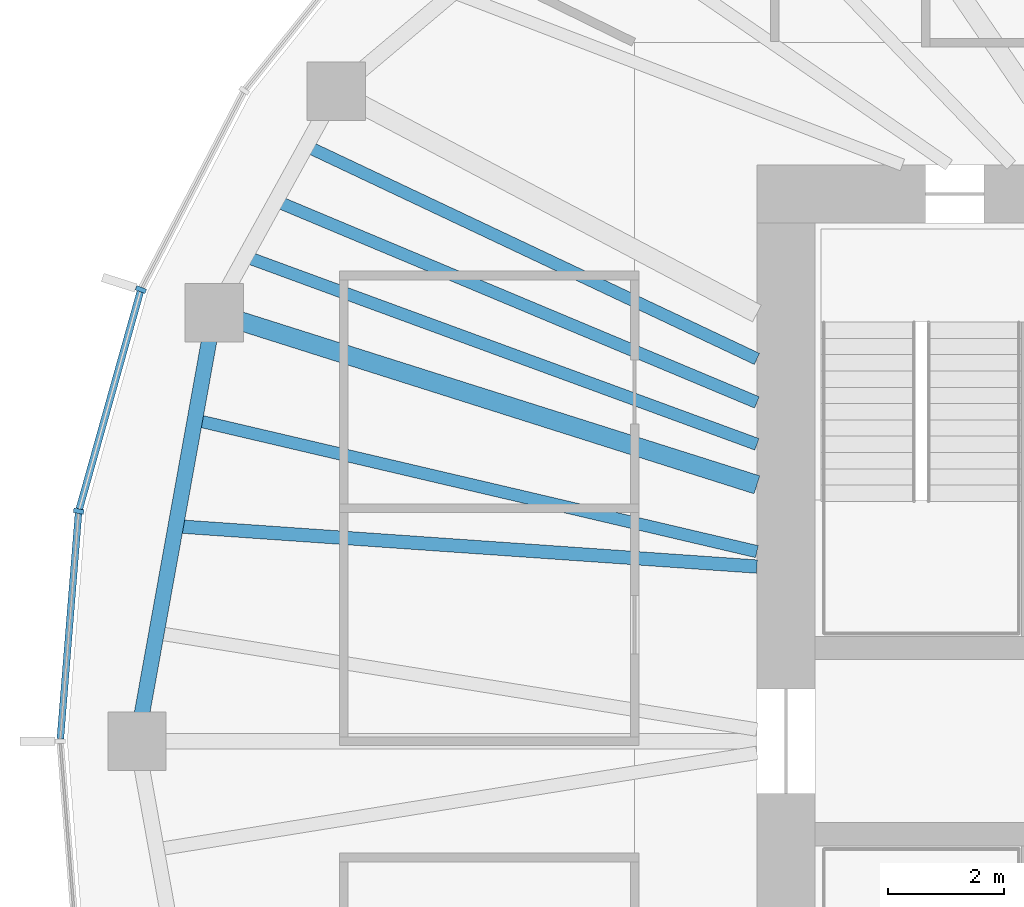
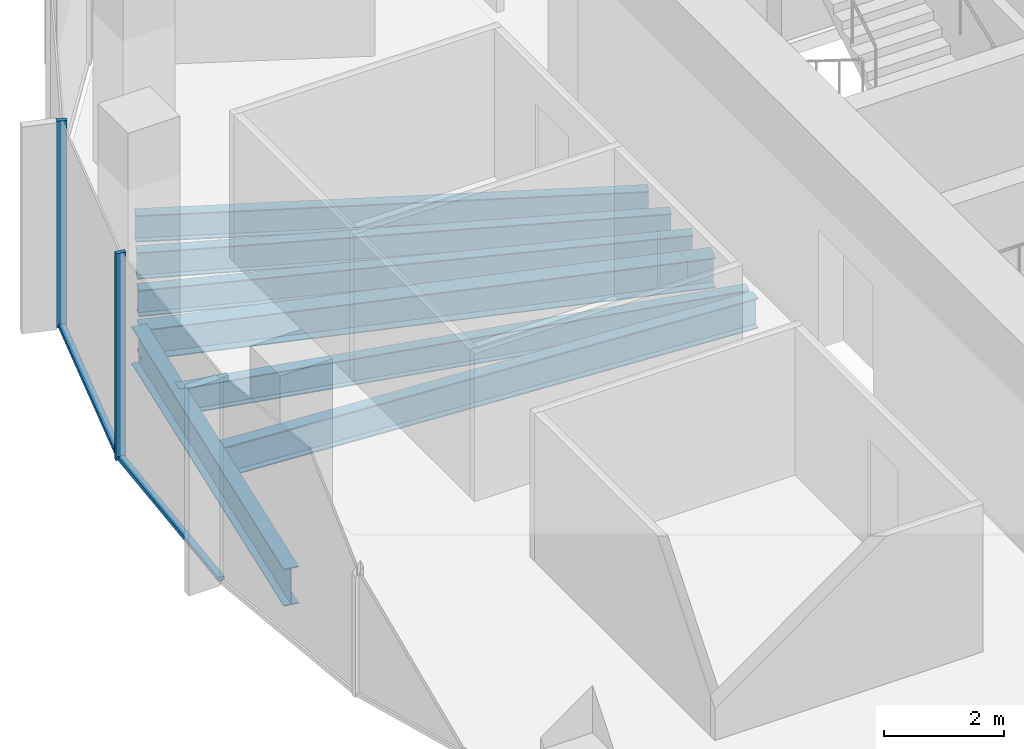
# One storey, part 3 of 12: 7 beams, 4 members, 1 element without a shape of its own.
"""IFC4 building model written with IfcOpenShell, lengths in metres."""

from ifc_helpers import new_model, si_unit, direction, frame, origin, origin_2d, place, context, subcontext, project, spatial, rectangle, i_section, extrude, material, material_profile, profile_set, type_object, element, aggregate, save


model = new_model("IFC4")

# Units and contexts
model_context = context("Model", 3, precision=1e-05, world=origin(), true_north=direction((0.0, 1.0)))
body_context = subcontext(model_context, "Body", "Model", "MODEL_VIEW")
ifc_project = project(units=[si_unit("LENGTHUNIT", "METRE"), si_unit("AREAUNIT", "SQUARE_METRE"), si_unit("VOLUMEUNIT", "CUBIC_METRE"), si_unit("PLANEANGLEUNIT", "RADIAN"), si_unit("MASSUNIT", "GRAM", prefix="KILO")], contexts=[model_context])

# Site, building, storey
site_placement = place(None, origin())
site = spatial("IfcSite", under=ifc_project, at=site_placement, CompositionType="ELEMENT")
building_placement = place(site_placement, origin())
building = spatial("IfcBuilding", under=site, at=building_placement, Name="Ghaith Harvest Tower", CompositionType="ELEMENT")
storey_placement = place(building_placement, frame((0.0, 0.0, 304.800048828125)))
storey = spatial("IfcBuildingStorey", under=building, at=storey_placement, Name="L68", CompositionType="ELEMENT", Elevation=304.800048828125)

# Curtain wall, members
ifc_material_1 = material(Name="Black anodised aluminium and fritted glass", Category="aluminium")
curtain_wall_type = type_object("IfcCurtainWallType", Name="CW-T CURTAIN WALL", PredefinedType="NOTDEFINED", material=ifc_material_1)
curtain_wall_placement = place(storey_placement, origin())
curtain_wall = element("IfcCurtainWall", 1, at=curtain_wall_placement, inside=storey, type_object=curtain_wall_type, Name="Curtain wall CW-T bay 10 L68", PredefinedType="NOTDEFINED")
ifc_material_2 = material(Name="Aluminium, black anodised", Category="aluminium")
ifc_material_profile_1 = material_profile(ifc_material_2, rectangle(XDim=0.080078125, YDim=0.179931640625, at=origin_2d()), Name="CW-T MULLION 80x180")
ifc_profile_set_1 = profile_set([ifc_material_profile_1], Name="Aluminium, black anodised")
member_type_1 = type_object("IfcMemberType", Name="CW-T MULLION 80x180", PredefinedType="MULLION", material=ifc_profile_set_1)
member_1_placement = place(storey_placement, frame((-24.482666015625, 7.759033203125, 0.0), z_axis=(0.0, 0.0, 1.0), x_axis=(-0.366473104961, -0.930428644948, 0.0)))
member_1 = element("IfcMember", 2, at=member_1_placement, type_object=member_type_1, Name="CW-T mullion 1 bay 10 L68", PredefinedType="MULLION", context=body_context, shape_type="SweptSolid", body=[
    extrude(rectangle(XDim=0.080078125, YDim=0.179931640625, at=origin_2d()), origin(), (0.0, 0.0, 1.0), 4.199951171875),
])
member_2_placement = place(storey_placement, frame((-25.5517578125, 3.9521484375, 0.0), z_axis=(0.0, 0.0, 1.0), x_axis=(-0.176001390642, -0.984389917915, 0.0)))
member_2 = element("IfcMember", 3, at=member_2_placement, type_object=member_type_1, Name="CW-T mullion 2 bay 10 L68", PredefinedType="MULLION", context=body_context, shape_type="SweptSolid", body=[
    extrude(rectangle(XDim=0.080078125, YDim=0.179931640625, at=origin_2d()), origin(), (0.0, 0.0, 1.0), 4.199951171875),
])
ifc_material_3 = material(Name="Aluminium, black anodised", Category="aluminium")
ifc_material_profile_2 = material_profile(ifc_material_3, rectangle(XDim=0.1201171875, YDim=0.080078125, at=origin_2d()), Name="CW-T TRANSOM 120x80")
ifc_profile_set_2 = profile_set([ifc_material_profile_2], Name="Aluminium, black anodised")
member_type_2 = type_object("IfcMemberType", Name="CW-T TRANSOM 120x80", PredefinedType="USERDEFINED", material=ifc_profile_set_2)
member_3_placement = place(storey_placement, frame((-24.49365234375, 7.720458984375, 0.0400390625), z_axis=(-0.270340422972, -0.962764797709, 0.0), x_axis=(0.962764797709, -0.270340422972, 0.0)))
member_3 = element("IfcMember", 4, at=member_3_placement, type_object=member_type_2, Name="CW-T transom 1 bay 10 L68", ObjectType="TRANSOM", PredefinedType="USERDEFINED", context=body_context, shape_type="SweptSolid", body=[
    extrude(rectangle(XDim=0.1201171875, YDim=0.080078125, at=origin_2d()), origin(), (0.0, 0.0, 1.0), 3.874267578125),
])
member_4_placement = place(storey_placement, frame((-25.554931640625, 3.912109375, 0.0400390625), z_axis=(-0.08025226314, -0.996774585481, 0.0), x_axis=(0.996774585481, -0.08025226314, 0.0)))
member_4 = element("IfcMember", 5, at=member_4_placement, type_object=member_type_2, Name="CW-T transom 2 bay 10 L68", ObjectType="TRANSOM", PredefinedType="USERDEFINED", context=body_context, shape_type="SweptSolid", body=[
    extrude(rectangle(XDim=0.1201171875, YDim=0.080078125, at=origin_2d()), origin(), (0.0, 0.0, 1.0), 3.884765625),
])
aggregate(curtain_wall, [member_1, member_3, member_2, member_4])

# Beams
ifc_material_4 = material(Name="Steel ASTM A992 Grade 50", Category="steel")
ifc_material_profile_3 = material_profile(ifc_material_4, i_section(OverallWidth=0.26611328125, OverallDepth=0.758056640625, WebThickness=0.013916015625, FlangeThickness=0.019287109375, at=origin_2d()), Name="W760X161")
ifc_profile_set_3 = profile_set([ifc_material_profile_3], Name="Steel ASTM A992 Grade 50")
beam_type_1 = type_object("IfcBeamType", Name="E760-161 W760X161", PredefinedType="SPANDREL", material=ifc_profile_set_3)
beam_1_placement = place(storey_placement, frame((-23.22412109375, 7.360107421875, -0.549072265625), z_axis=(-0.177296554745, -0.984157473007, 0.0), x_axis=(0.984157473007, -0.177296554745, 0.0)))
element("IfcBeam", 6, at=beam_1_placement, inside=storey, type_object=beam_type_1, Name="Edge beam E10 L68", PredefinedType="SPANDREL", context=body_context, shape_type="SweptSolid", body=[
    extrude(i_section(OverallWidth=0.26611328125, OverallDepth=0.758056640625, WebThickness=0.013916015625, FlangeThickness=0.019287109375, at=origin_2d()), origin(), (0.0, 0.0, 1.0), 7.478515625),
])
ifc_material_5 = material(Name="Steel ASTM A992 Grade 50", Category="steel")
ifc_material_profile_4 = material_profile(ifc_material_5, i_section(OverallWidth=0.323974609375, OverallDepth=0.611083984375, WebThickness=0.0126953125, FlangeThickness=0.01904296875, at=origin_2d()), Name="W610X155")
ifc_profile_set_4 = profile_set([ifc_material_profile_4], Name="Steel ASTM A992 Grade 50")
beam_type_2 = type_object("IfcBeamType", Name="G610-155 W610X155", PredefinedType="BEAM", material=ifc_profile_set_4)
beam_2_placement = place(storey_placement, frame((-13.89990234375, 4.4052734375, -0.4755859375), z_axis=(-0.953278508772, 0.302092841215, 0.0), x_axis=(-0.302092841215, -0.953278508772, 0.0)))
element("IfcBeam", 7, at=beam_2_placement, inside=storey, type_object=beam_type_2, Name="Radial girder G10 L68", PredefinedType="BEAM", context=body_context, shape_type="SweptSolid", body=[
    extrude(i_section(OverallWidth=0.323974609375, OverallDepth=0.611083984375, WebThickness=0.0126953125, FlangeThickness=0.01904296875, at=origin_2d()), origin(), (0.0, 0.0, 1.0), 9.78125),
])
ifc_material_6 = material(Name="Steel ASTM A992 Grade 50", Category="steel")
ifc_material_profile_5 = material_profile(ifc_material_6, i_section(OverallWidth=0.2109375, OverallDepth=0.5390625, WebThickness=0.01171875, FlangeThickness=0.018798828125, at=origin_2d()), Name="W530X109")
ifc_profile_set_5 = profile_set([ifc_material_profile_5], Name="Steel ASTM A992 Grade 50")
beam_type_3 = type_object("IfcBeamType", Name="J530-109 W530X109", PredefinedType="JOIST", material=ifc_profile_set_5)
beam_3_placement = place(storey_placement, frame((-13.89990234375, 6.56787109375, -0.439453125), z_axis=(-0.904165769726, 0.427181765594, 0.0), x_axis=(-0.427181765594, -0.904165769726, 0.0)))
element("IfcBeam", 8, at=beam_3_placement, inside=storey, type_object=beam_type_3, Name="Joist J09.1 L68", PredefinedType="JOIST", context=body_context, shape_type="SweptSolid", body=[
    extrude(i_section(OverallWidth=0.2109375, OverallDepth=0.5390625, WebThickness=0.01171875, FlangeThickness=0.018798828125, at=origin_2d()), origin(), (0.0, 0.0, 1.0), 8.564208984375),
])
beam_4_placement = place(storey_placement, frame((-13.89990234375, 5.82080078125, -0.439453125), z_axis=(-0.922394258818, 0.38624970071, 0.0), x_axis=(-0.38624970071, -0.922394258818, 0.0)))
element("IfcBeam", 9, at=beam_4_placement, inside=storey, type_object=beam_type_3, Name="Joist J09.2 L68", PredefinedType="JOIST", context=body_context, shape_type="SweptSolid", body=[
    extrude(i_section(OverallWidth=0.2109375, OverallDepth=0.5390625, WebThickness=0.01171875, FlangeThickness=0.018798828125, at=origin_2d()), origin(), (0.0, 0.0, 1.0), 8.959716796875),
])
beam_5_placement = place(storey_placement, frame((-13.89990234375, 5.101318359375, -0.439453125), z_axis=(-0.938776837502, 0.34452583266, 0.0), x_axis=(-0.34452583266, -0.938776837502, 0.0)))
element("IfcBeam", 10, at=beam_5_placement, inside=storey, type_object=beam_type_3, Name="Joist J09.3 L68", PredefinedType="JOIST", context=body_context, shape_type="SweptSolid", body=[
    extrude(i_section(OverallWidth=0.2109375, OverallDepth=0.5390625, WebThickness=0.01171875, FlangeThickness=0.018798828125, at=origin_2d()), origin(), (0.0, 0.0, 1.0), 9.36376953125),
])
beam_6_placement = place(storey_placement, frame((-13.89990234375, 3.257080078125, -0.439453125), z_axis=(-0.973623403271, 0.228161058472, 0.0), x_axis=(-0.228161058472, -0.973623403271, 0.0)))
element("IfcBeam", 11, at=beam_6_placement, inside=storey, type_object=beam_type_3, Name="Joist J10.1 L68", PredefinedType="JOIST", context=body_context, shape_type="SweptSolid", body=[
    extrude(i_section(OverallWidth=0.2109375, OverallDepth=0.5390625, WebThickness=0.01171875, FlangeThickness=0.018798828125, at=origin_2d()), origin(), (0.0, 0.0, 1.0), 9.9169921875),
])
ifc_material_7 = material(Name="Steel ASTM A992 Grade 50", Category="steel")
ifc_material_profile_6 = material_profile(ifc_material_7, i_section(OverallWidth=0.22998046875, OverallDepth=0.616943359375, WebThickness=0.01318359375, FlangeThickness=0.022216796875, at=origin_2d()), Name="W610X140")
ifc_profile_set_6 = profile_set([ifc_material_profile_6], Name="Steel ASTM A992 Grade 50")
beam_type_4 = type_object("IfcBeamType", Name="J610-140 W610X140", PredefinedType="JOIST", material=ifc_profile_set_6)
beam_7_placement = place(storey_placement, frame((-13.89990234375, 3.0, -0.478515625), z_axis=(-0.997592478057, 0.069348739886, 0.0), x_axis=(-0.069348739886, -0.997592478057, 0.0)))
element("IfcBeam", 12, at=beam_7_placement, inside=storey, type_object=beam_type_4, Name="Joist J10.2 L68", PredefinedType="JOIST", context=body_context, shape_type="SweptSolid", body=[
    extrude(i_section(OverallWidth=0.22998046875, OverallDepth=0.616943359375, WebThickness=0.01318359375, FlangeThickness=0.022216796875, at=origin_2d()), origin(), (0.0, 0.0, 1.0), 10.0087890625),
])

save(model, "model.ifc")
